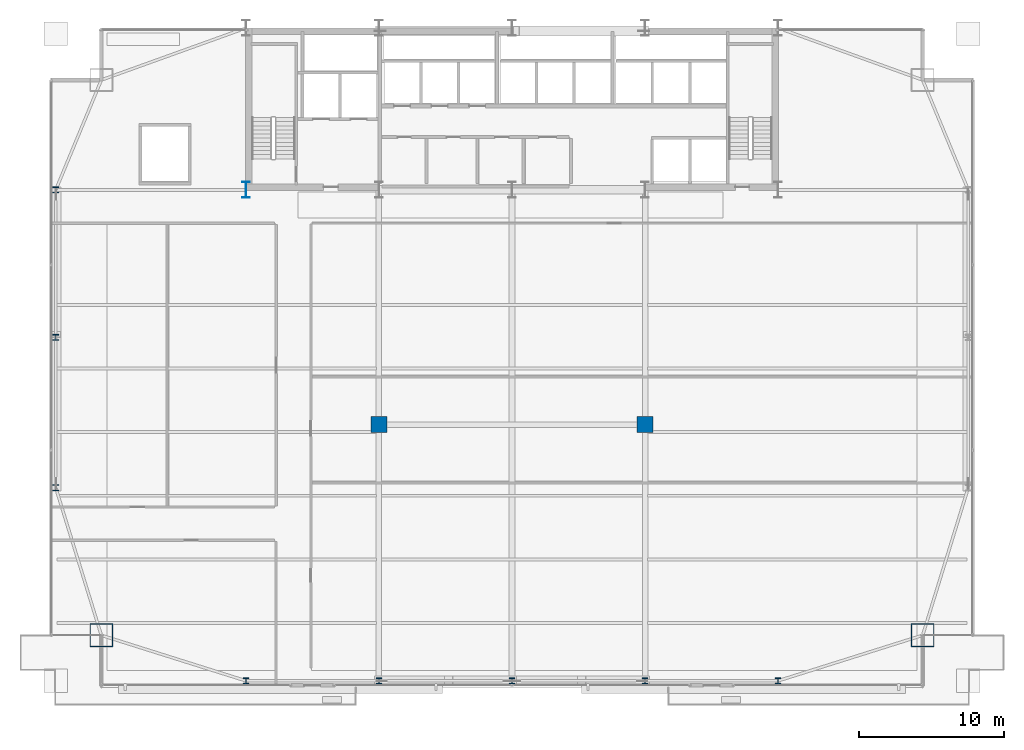
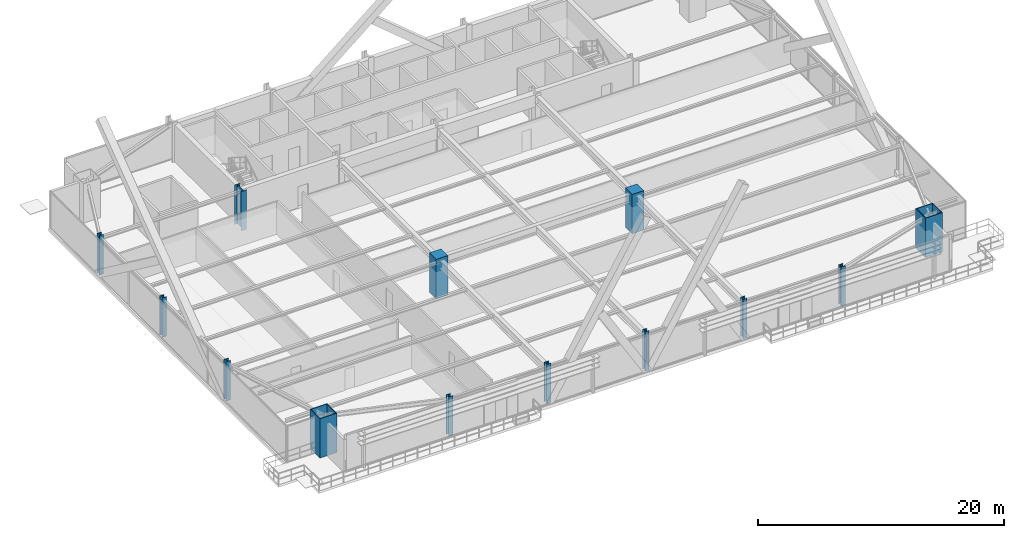
# One storey, part 1 of 34: 13 columns.
"""IFC4 building model written with IfcOpenShell, lengths in metres."""

from ifc_helpers import new_model, si_unit, direction, frame, origin, origin_2d, place, context, subcontext, project, spatial, rectangle, hollow_rectangle, i_section, extrude, source, transform, mapped, material, material_profile, profile_set, type_object, type_shapes, element, save


model = new_model("IFC4")

# Units and contexts
model_context = context("Model", 3, precision=1e-05, world=origin(), true_north=direction((0.0, 1.0)))
body_context = subcontext(model_context, "Body", "Model", "MODEL_VIEW")
ifc_project = project(units=[si_unit("LENGTHUNIT", "METRE"), si_unit("AREAUNIT", "SQUARE_METRE"), si_unit("VOLUMEUNIT", "CUBIC_METRE"), si_unit("PLANEANGLEUNIT", "RADIAN"), si_unit("MASSUNIT", "GRAM", prefix="KILO")], contexts=[model_context])

# Site, building, storey
site_placement = place(None, origin())
site = spatial("IfcSite", under=ifc_project, at=site_placement, CompositionType="ELEMENT")
building_placement = place(site_placement, origin())
building = spatial("IfcBuilding", under=site, at=building_placement, Name="Varnel Quay Broadcast Tower", CompositionType="ELEMENT")
storey_placement = place(building_placement, frame((0.0, 0.0, 27.60009765625)))
storey = spatial("IfcBuildingStorey", under=building, at=storey_placement, Name="L05", CompositionType="ELEMENT", Elevation=27.60009765625)

# Columns
ifc_material_1 = material(Name="Structural Steel CSA G40.21 350WT", Category="steel")
ifc_material_profile_1 = material_profile(ifc_material_1, i_section(OverallWidth=0.5, OverallDepth=1.10009765625, WebThickness=0.01806640625, FlangeThickness=0.031982421875, FilletRadius=0.01806640625, at=origin_2d()), Name="WWF1100X418")
ifc_profile_set_1 = profile_set([ifc_material_profile_1], Name="Structural Steel CSA G40.21 350WT")
column_type_1 = type_object("IfcColumnType", Name="Col_WWF1100X418", PredefinedType="COLUMN", material=ifc_profile_set_1)
shared_shape_1 = source(origin(), body_context, "Body", "SweptSolid", [
    extrude(i_section(OverallWidth=0.5, OverallDepth=1.10009765625, WebThickness=0.01806640625, FlangeThickness=0.031982421875, FilletRadius=0.01806640625, at=origin_2d()), origin(), (0.0, 0.0, 1.0), 3.89990234375),
])
type_shapes(column_type_1, [shared_shape_1])
column_placement = place(storey_placement, frame((15.60009765625, 35.60009765625, 0.0), z_axis=(0.0, 0.0, 1.0), x_axis=(1.0, 0.0, 0.0)))
element("IfcColumn", 1, at=column_placement, inside=storey, type_object=column_type_1, Name="L05 Column CC-S1", PredefinedType="COLUMN", context=body_context, shape_type="MappedRepresentation", body=[
    mapped(shared_shape_1, transform((0.0, 0.0, 0.0), x_axis=(1.0, 0.0, 0.0), y_axis=(0.0, 1.0, 0.0), z_axis=(0.0, 0.0, 1.0), scale=1.0)),
])
ifc_material_profile_2 = material_profile(ifc_material_1, hollow_rectangle(XDim=1.60009765625, YDim=1.60009765625, WallThickness=0.06005859375, at=origin_2d()), Name="BOX1600X1600X60")
ifc_profile_set_2 = profile_set([ifc_material_profile_2], Name="Structural Steel CSA G40.21 350WT")
column_type_2 = type_object("IfcColumnType", Name="Col_BOX1600X1600X60", PredefinedType="COLUMN", material=ifc_profile_set_2)
shared_shape_2 = source(origin(), body_context, "Body", "SweptSolid", [
    extrude(hollow_rectangle(XDim=1.60009765625, YDim=1.60009765625, WallThickness=0.06005859375, at=origin_2d()), origin(), (0.0, 0.0, 1.0), 3.89990234375),
])
type_shapes(column_type_2, [shared_shape_2])
for number, where, z_axis, x_axis, name in (
    (2, (5.60009765625, 4.800048828125, 0.0), (0.0, 0.0, 1.0), (1.0, 0.0, 0.0), "L05 Column MC-SW"),
    (3, (62.39990234375, 4.800048828125, 0.0), (0.0, 0.0, 1.0), (1.0, 0.0, 0.0), "L05 Column MC-SE"),
):
    element("IfcColumn", number, at=place(storey_placement, frame(where, z_axis=z_axis, x_axis=x_axis)), inside=storey, type_object=column_type_2, Name=name, PredefinedType="COLUMN", context=body_context, shape_type="MappedRepresentation", body=[
        mapped(shared_shape_2, transform((0.0, 0.0, 0.0), x_axis=(1.0, 0.0, 0.0), y_axis=(0.0, 1.0, 0.0), z_axis=(0.0, 0.0, 1.0), scale=1.0)),
    ])
ifc_material_2 = material(Name="Structural Steel CSA G40.21 350W", Category="steel")
ifc_material_profile_3 = material_profile(ifc_material_2, i_section(OverallWidth=0.404052734375, OverallDepth=0.406982421875, WebThickness=0.027099609375, FlangeThickness=0.043701171875, FilletRadius=0.01806640625, at=origin_2d()), Name="W360X347")
ifc_profile_set_3 = profile_set([ifc_material_profile_3], Name="Structural Steel CSA G40.21 350W")
column_type_3 = type_object("IfcColumnType", Name="Col_W360X347", PredefinedType="COLUMN", material=ifc_profile_set_3)
shared_shape_3 = source(origin(), body_context, "Body", "SweptSolid", [
    extrude(i_section(OverallWidth=0.404052734375, OverallDepth=0.406982421875, WebThickness=0.027099609375, FlangeThickness=0.043701171875, FilletRadius=0.01806640625, at=origin_2d()), origin(), (0.0, 0.0, 1.0), 3.89990234375),
])
type_shapes(column_type_3, [shared_shape_3])
for number, where, z_axis, x_axis, name in (
    (4, (15.60009765625, 1.64990234375, 0.0), (0.0, 0.0, 1.0), (1.0, 0.0, 0.0), "L05 Column TC-S1"),
    (5, (24.800048828125, 1.64990234375, 0.0), (0.0, 0.0, 1.0), (1.0, 0.0, 0.0), "L05 Column TC-S2"),
    (6, (34.0, 1.64990234375, 0.0), (0.0, 0.0, 1.0), (1.0, 0.0, 0.0), "L05 Column TC-S3"),
    (7, (43.199951171875, 1.64990234375, 0.0), (0.0, 0.0, 1.0), (1.0, 0.0, 0.0), "L05 Column TC-S4"),
    (8, (52.39990234375, 1.64990234375, 0.0), (0.0, 0.0, 1.0), (1.0, 0.0, 0.0), "L05 Column TC-S5"),
    (9, (2.449951171875, 15.0, 0.0), (0.0, 0.0, 1.0), (1.0, 0.0, 0.0), "L05 Column TC-W1"),
    (10, (2.449951171875, 25.39990234375, 0.0), (0.0, 0.0, 1.0), (1.0, 0.0, 0.0), "L05 Column TC-W2"),
    (11, (2.449951171875, 35.60009765625, 0.0), (0.0, 0.0, 1.0), (1.0, 0.0, 0.0), "L05 Column TC-W3"),
):
    element("IfcColumn", number, at=place(storey_placement, frame(where, z_axis=z_axis, x_axis=x_axis)), inside=storey, type_object=column_type_3, Name=name, PredefinedType="COLUMN", context=body_context, shape_type="MappedRepresentation", body=[
        mapped(shared_shape_3, transform((0.0, 0.0, 0.0), x_axis=(1.0, 0.0, 0.0), y_axis=(0.0, 1.0, 0.0), z_axis=(0.0, 0.0, 1.0), scale=1.0)),
    ])
ifc_material_3 = material(Name="Concrete CSA A23.3 C60/75", Category="concrete")
ifc_material_profile_4 = material_profile(ifc_material_3, rectangle(XDim=1.10009765625, YDim=1.10009765625, at=origin_2d()), Name="RC1100X1100")
ifc_profile_set_4 = profile_set([ifc_material_profile_4], Name="Concrete CSA A23.3 C60/75")
column_type_4 = type_object("IfcColumnType", Name="Col_RC1100X1100", PredefinedType="COLUMN", material=ifc_profile_set_4)
shared_shape_4 = source(origin(), body_context, "Body", "SweptSolid", [
    extrude(rectangle(XDim=1.10009765625, YDim=1.10009765625, at=origin_2d()), origin(), (0.0, 0.0, 1.0), 3.89990234375),
])
type_shapes(column_type_4, [shared_shape_4])
for number, where, z_axis, x_axis, name in (
    (12, (24.800048828125, 19.3701171875, 0.0), (0.0, 0.0, 1.0), (1.0, 0.0, 0.0), "L05 Column IC-01"),
    (13, (43.199951171875, 19.3701171875, 0.0), (0.0, 0.0, 1.0), (1.0, 0.0, 0.0), "L05 Column IC-02"),
):
    element("IfcColumn", number, at=place(storey_placement, frame(where, z_axis=z_axis, x_axis=x_axis)), inside=storey, type_object=column_type_4, Name=name, PredefinedType="COLUMN", context=body_context, shape_type="MappedRepresentation", body=[
        mapped(shared_shape_4, transform((0.0, 0.0, 0.0), x_axis=(1.0, 0.0, 0.0), y_axis=(0.0, 1.0, 0.0), z_axis=(0.0, 0.0, 1.0), scale=1.0)),
    ])

save(model, "model.ifc")
